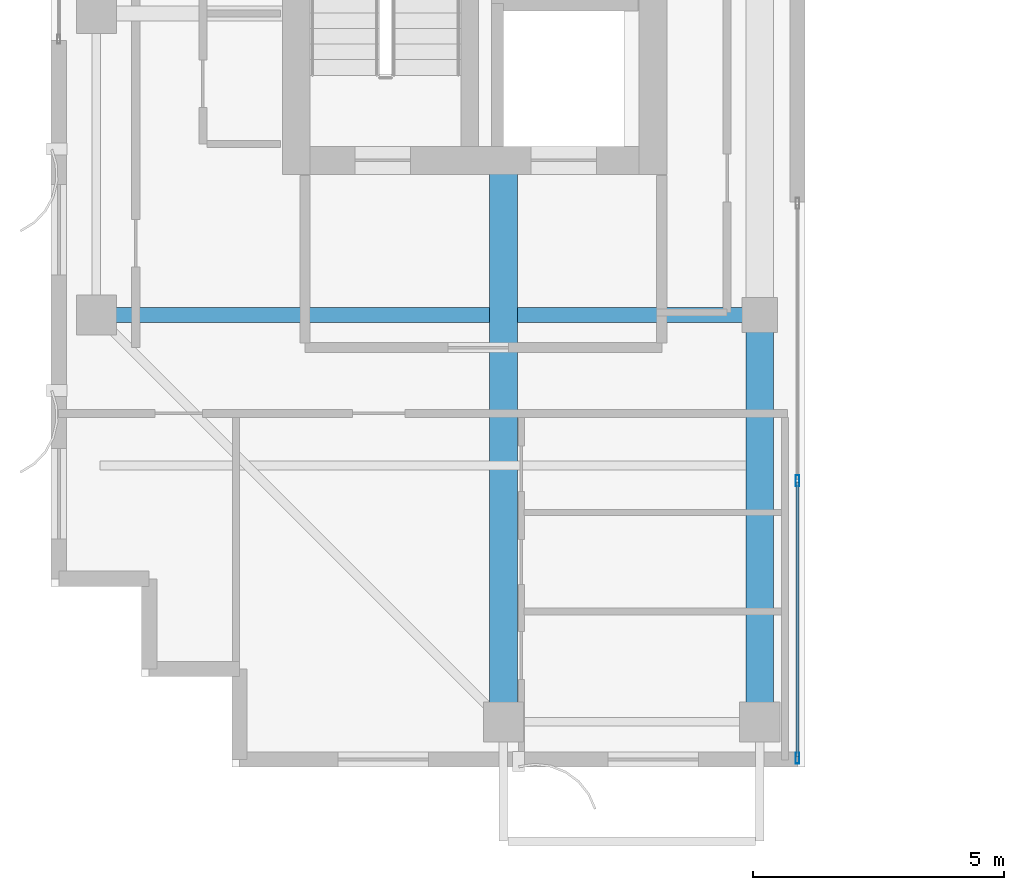
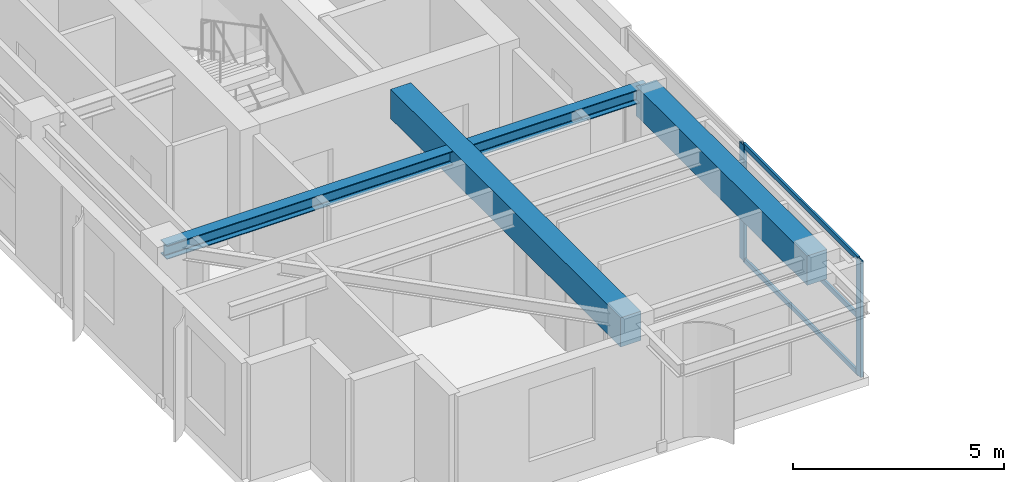
# One storey, part 2 of 22: 5 members, 3 beams, 1 element without a shape of its own.
"""IFC4 building model written with IfcOpenShell, lengths in metres."""

from ifc_helpers import new_model, si_unit, direction, frame, origin, origin_2d, place, context, subcontext, project, spatial, rectangle, hollow_rectangle, i_section, extrude, source, transform, mapped, material, layer, layer_set, material_profile, profile_set, type_object, element, aggregate, save


model = new_model("IFC4")

# Units and contexts
model_context = context("Model", 3, precision=1e-05, world=origin(), true_north=direction((0.0, 1.0)))
body_context = subcontext(model_context, "Body", "Model", "MODEL_VIEW")
ifc_project = project(units=[si_unit("LENGTHUNIT", "METRE"), si_unit("AREAUNIT", "SQUARE_METRE"), si_unit("VOLUMEUNIT", "CUBIC_METRE"), si_unit("PLANEANGLEUNIT", "RADIAN"), si_unit("MASSUNIT", "GRAM", prefix="KILO")], contexts=[model_context])

# Site, building, storey
site_placement = place(None, origin())
site = spatial("IfcSite", under=ifc_project, at=site_placement, CompositionType="ELEMENT")
building_placement = place(site_placement, origin())
building = spatial("IfcBuilding", under=site, at=building_placement, Name="Khoralis Quay Care Tower", CompositionType="ELEMENT")
storey_placement = place(building_placement, frame((0.0, 0.0, 256.5)))
storey = spatial("IfcBuildingStorey", under=building, at=storey_placement, Name="L67", CompositionType="ELEMENT", Elevation=256.5)

# Beams
ifc_material_1 = material(Name="Steel S355", Category="steel")
ifc_material_profile_1 = material_profile(ifc_material_1, i_section(OverallWidth=0.300048828125, OverallDepth=0.39990234375, WebThickness=0.013427734375, FlangeThickness=0.02392578125, FilletRadius=0.027099609375, at=origin_2d()), Name="Steel S355")
ifc_profile_set_1 = profile_set([ifc_material_profile_1], Name="Steel S355")
beam_type_1 = type_object("IfcBeamType", Name="BM-HEB400", PredefinedType="BEAM", material=ifc_profile_set_1)
shared_shape_1 = source(origin(), body_context, "Body", "SweptSolid", [
    extrude(i_section(OverallWidth=0.300048828125, OverallDepth=0.39990234375, WebThickness=0.013427734375, FlangeThickness=0.02392578125, FilletRadius=0.027099609375, at=origin_2d()), origin(), (0.0, 0.0, 1.0), 13.2001953125),
])
beam_1_placement = place(storey_placement, frame((3.89990234375, 12.0, 3.159912109375), z_axis=(1.0, 0.0, 0.0), x_axis=(0.0, 1.0, 0.0)))
element("IfcBeam", 1, at=beam_1_placement, inside=storey, type_object=beam_type_1, Name="BM-TGXW-L67-120", PredefinedType="BEAM", context=body_context, shape_type="MappedRepresentation", body=[
    mapped(shared_shape_1, transform((0.0, 0.0, 0.0), scale=1.0)),
])
ifc_material_2 = material(Name="Concrete C50/60", Category="concrete")
ifc_material_profile_2 = material_profile(ifc_material_2, rectangle(XDim=0.550048828125, YDim=0.85009765625, at=origin_2d()), Name="Concrete C50/60")
ifc_profile_set_2 = profile_set([ifc_material_profile_2], Name="Concrete C50/60")
beam_type_2 = type_object("IfcBeamType", Name="BM-RC550X850", PredefinedType="BEAM", material=ifc_profile_set_2)
shared_shape_2 = source(origin(), body_context, "Body", "SweptSolid", [
    extrude(rectangle(XDim=0.550048828125, YDim=0.85009765625, at=origin_2d()), origin(), (0.0, 0.0, 1.0), 10.902099609375),
])
beam_2_placement = place(storey_placement, frame((12.0, 3.89990234375, 2.93505859375), z_axis=(0.0, 1.0, 0.0), x_axis=(-1.0, 0.0, 0.0)))
element("IfcBeam", 2, at=beam_2_placement, inside=storey, type_object=beam_type_2, Name="BM-TGYS-L67-120", PredefinedType="BEAM", context=body_context, shape_type="MappedRepresentation", body=[
    mapped(shared_shape_2, transform((0.0, 0.0, 0.0), scale=1.0)),
])
shared_shape_3 = source(origin(), body_context, "Body", "SweptSolid", [
    extrude(rectangle(XDim=0.550048828125, YDim=0.85009765625, at=origin_2d()), origin(), (0.0, 0.0, 1.0), 8.10009765625),
])
beam_3_placement = place(storey_placement, frame((17.10009765625, 3.89990234375, 2.93505859375), z_axis=(0.0, 1.0, 0.0), x_axis=(-1.0, 0.0, 0.0)))
element("IfcBeam", 3, at=beam_3_placement, inside=storey, type_object=beam_type_2, Name="BM-TGYS-L67-171", PredefinedType="BEAM", context=body_context, shape_type="MappedRepresentation", body=[
    mapped(shared_shape_3, transform((0.0, 0.0, 0.0), scale=1.0)),
])

# Curtain wall, members
ifc_material_3 = material(Name="Pale anodised aluminium", Category="aluminium")
ifc_layer = layer(ifc_material_3, 0.18994140625)
ifc_layer_set = layer_set([ifc_layer], Name="Pale anodised aluminium")
curtain_wall_type = type_object("IfcCurtainWallType", Name="CW-SYS-PORTAL", PredefinedType="NOTDEFINED", material=ifc_layer_set)
curtain_wall_placement = place(storey_placement, origin())
curtain_wall = element("IfcCurtainWall", 4, at=curtain_wall_placement, inside=storey, type_object=curtain_wall_type, Name="L67 Unitised Curtain Wall CW-VP-L67-P1-S", PredefinedType="NOTDEFINED")
ifc_material_profile_3 = material_profile(ifc_material_3, hollow_rectangle(XDim=0.074951171875, YDim=0.219970703125, WallThickness=0.00390625, at=origin_2d()), Name="Pale anodised aluminium")
ifc_profile_set_3 = profile_set([ifc_material_profile_3], Name="Pale anodised aluminium")
member_type_1 = type_object("IfcMemberType", Name="CW-MUL-220", PredefinedType="MULLION", material=ifc_profile_set_3)
shared_shape_4 = source(origin(), body_context, "Body", "SweptSolid", [
    extrude(hollow_rectangle(XDim=0.074951171875, YDim=0.219970703125, WallThickness=0.00390625, at=origin_2d()), origin(), (0.0, 0.0, 1.0), 3.360107421875),
])
member_1_placement = place(storey_placement, frame((17.85009765625, 3.179931640625, 0.0), z_axis=(0.0, 0.0, 1.0), x_axis=(-1.0, 0.0, 0.0)))
member_1 = element("IfcMember", 5, at=member_1_placement, type_object=member_type_1, Name="CW4 mullion 1", PredefinedType="MULLION", context=body_context, shape_type="MappedRepresentation", body=[
    mapped(shared_shape_4, transform((0.0, 0.0, 0.0), scale=1.0)),
])
member_2_placement = place(storey_placement, frame((17.85009765625, 8.699951171875, 0.0), z_axis=(0.0, 0.0, 1.0), x_axis=(-1.0, 0.0, 0.0)))
member_2 = element("IfcMember", 6, at=member_2_placement, type_object=member_type_1, Name="CW4 mullion 2", PredefinedType="MULLION", context=body_context, shape_type="MappedRepresentation", body=[
    mapped(shared_shape_4, transform((0.0, 0.0, 0.0), scale=1.0)),
])
ifc_material_profile_4 = material_profile(ifc_material_3, hollow_rectangle(XDim=0.06005859375, YDim=0.139892578125, WallThickness=0.00390625, at=origin_2d()), Name="Pale anodised aluminium")
ifc_profile_set_4 = profile_set([ifc_material_profile_4], Name="Pale anodised aluminium")
member_type_2 = type_object("IfcMemberType", Name="CW-TRN-140", PredefinedType="USERDEFINED", material=ifc_profile_set_4)
shared_shape_5 = source(origin(), body_context, "Body", "SweptSolid", [
    extrude(hollow_rectangle(XDim=0.06005859375, YDim=0.139892578125, WallThickness=0.00390625, at=origin_2d()), origin(), (0.0, 0.0, 1.0), 5.4599609375),
])
member_3_placement = place(storey_placement, frame((17.85009765625, 3.2099609375, 0.030029296875), z_axis=(0.0, 1.0, 0.0), x_axis=(-1.0, 0.0, 0.0)))
member_3 = element("IfcMember", 7, at=member_3_placement, type_object=member_type_2, Name="CW4 transom 1.1", ObjectType="TRANSOM", PredefinedType="USERDEFINED", context=body_context, shape_type="MappedRepresentation", body=[
    mapped(shared_shape_5, transform((0.0, 0.0, 0.0), scale=1.0)),
])
member_4_placement = place(storey_placement, frame((17.85009765625, 3.2099609375, 1.679931640625), z_axis=(0.0, 1.0, 0.0), x_axis=(-1.0, 0.0, 0.0)))
member_4 = element("IfcMember", 8, at=member_4_placement, type_object=member_type_2, Name="CW4 transom 1.2", ObjectType="TRANSOM", PredefinedType="USERDEFINED", context=body_context, shape_type="MappedRepresentation", body=[
    mapped(shared_shape_5, transform((0.0, 0.0, 0.0), scale=1.0)),
])
member_5_placement = place(storey_placement, frame((17.85009765625, 3.2099609375, 3.330078125), z_axis=(0.0, 1.0, 0.0), x_axis=(-1.0, 0.0, 0.0)))
member_5 = element("IfcMember", 9, at=member_5_placement, type_object=member_type_2, Name="CW4 transom 1.3", ObjectType="TRANSOM", PredefinedType="USERDEFINED", context=body_context, shape_type="MappedRepresentation", body=[
    mapped(shared_shape_5, transform((0.0, 0.0, 0.0), scale=1.0)),
])
aggregate(curtain_wall, [member_1, member_2, member_3, member_4, member_5])

save(model, "model.ifc")
